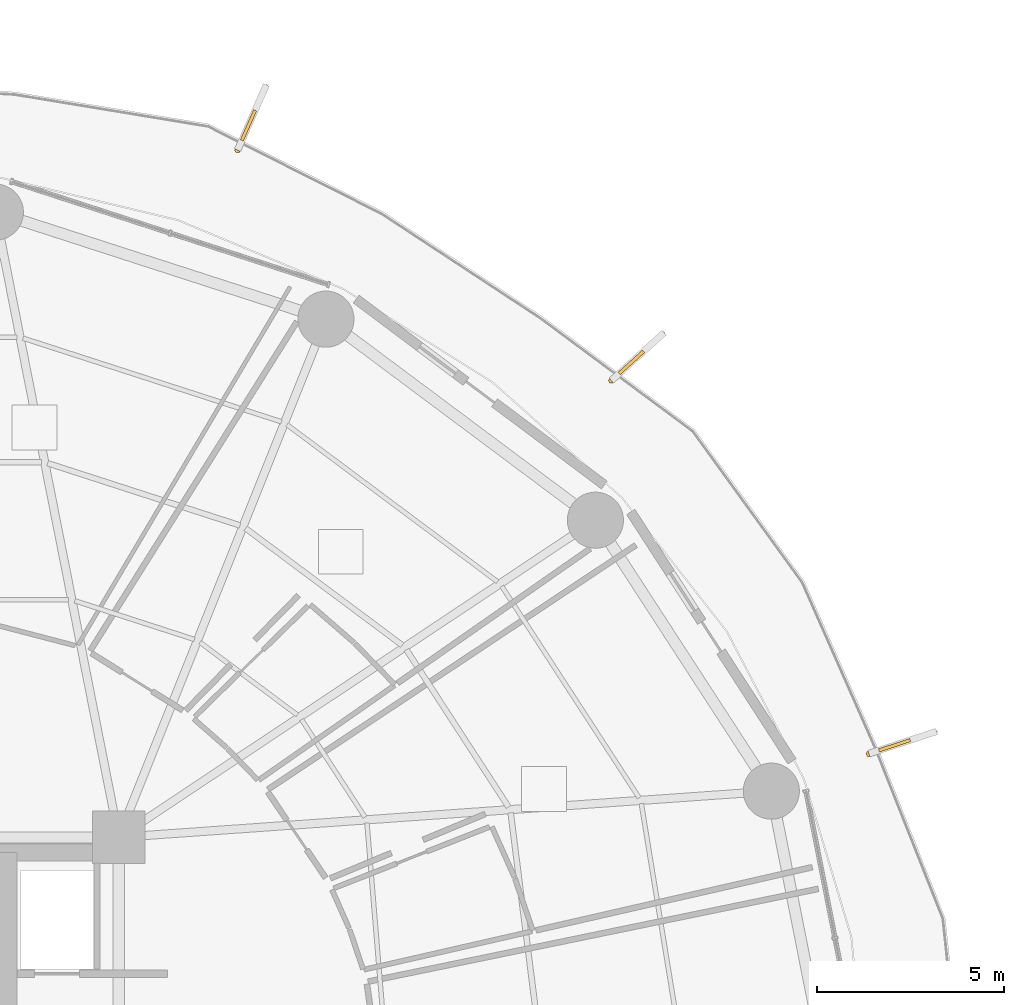
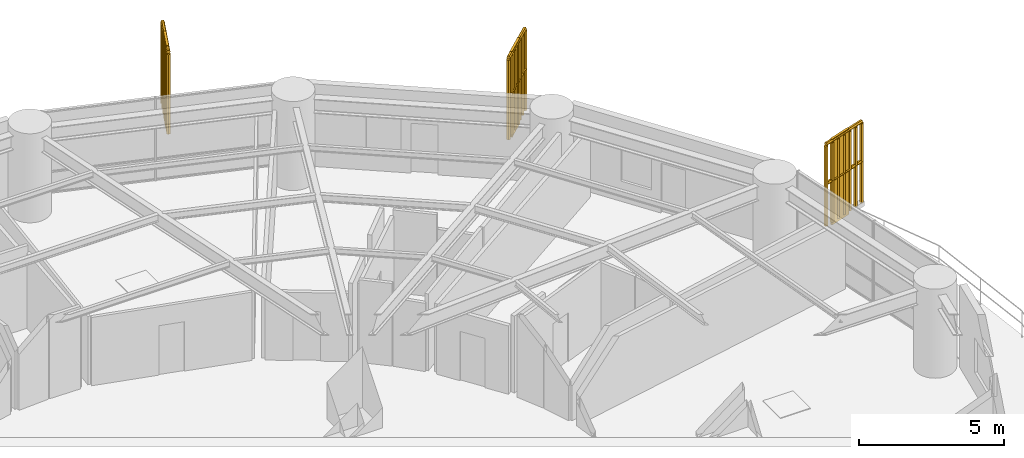
# One storey, part 33 of 33: 3 railings, 3 shading devices.
"""IFC4 building model written with IfcOpenShell, lengths in metres."""

from ifc_helpers import new_model, si_unit, direction, frame, origin, origin_2d, place, context, subcontext, project, spatial, polyline, rectangle, outline, extrude, source, transform, mapped, material, type_object, element, save


model = new_model("IFC4")

# Units and contexts
model_context = context("Model", 3, precision=1e-05, world=origin(), true_north=direction((0.0, 1.0)))
body_context = subcontext(model_context, "Body", "Model", "MODEL_VIEW")
ifc_project = project(units=[si_unit("LENGTHUNIT", "METRE"), si_unit("AREAUNIT", "SQUARE_METRE"), si_unit("VOLUMEUNIT", "CUBIC_METRE"), si_unit("PLANEANGLEUNIT", "RADIAN"), si_unit("MASSUNIT", "GRAM", prefix="KILO")], contexts=[model_context])

# Site, building, storey
site_placement = place(None, origin())
site = spatial("IfcSite", under=ifc_project, at=site_placement, CompositionType="ELEMENT")
building_placement = place(site_placement, origin())
building = spatial("IfcBuilding", under=site, at=building_placement, Name="Kelanora Arch Commons", CompositionType="ELEMENT")
storey_placement = place(building_placement, frame((0.0, 0.0, 41.25)))
storey = spatial("IfcBuildingStorey", under=building, at=storey_placement, Name="L10", CompositionType="ELEMENT", Elevation=41.25)

# Railings
ifc_material_1 = material(Name="Anodised bronze vertical shading fin rib assembly")
railing_type = type_object("IfcRailingType", Name="RAIL-FIN-BRZ", PredefinedType="BALUSTRADE", material=ifc_material_1)
railing_1_placement = place(storey_placement, frame((102.058349609375, 67.237548828125, -0.02001953125)))
element("IfcRailing", 1, at=railing_1_placement, inside=storey, type_object=railing_type, Name="Sweeping Bronze Vertical Fin Blade L10-00", PredefinedType="BALUSTRADE", context=body_context, shape_type="SweptSolid", body=[
    extrude(outline(polyline([(0.06982421875, 0.0), (0.034912109375, 0.060546875), (-0.034912109375, 0.060546875), (-0.06982421875, 0.0), (-0.034912109375, -0.060546875), (0.034912109375, -0.060546875), (0.06982421875, 0.0)])), frame((0.0, 0.0, 3.419921875), z_axis=(0.949842949797, 0.31272731048, 0.0), x_axis=(-0.31272731048, 0.949842949797, 0.0)), (0.0, 0.0, 1.0), 1.842529296875),
    extrude(outline(polyline([(0.06982421875, 0.0), (0.034912109375, 0.060546875), (-0.034912109375, 0.060546875), (-0.06982421875, 0.0), (-0.034912109375, -0.060546875), (0.034912109375, -0.060546875), (0.06982421875, 0.0)])), frame((0.0, 0.0, 1.7451171875), z_axis=(0.949842949797, 0.31272731048, 0.0), x_axis=(-0.31272731048, 0.949842949797, 0.0)), (0.0, 0.0, 1.0), 1.842529296875),
    extrude(outline(polyline([(0.080078125, 0.0), (0.0400390625, 0.0693359375), (-0.0400390625, 0.0693359375), (-0.080078125, 0.0), (-0.0400390625, -0.0693359375), (0.0400390625, -0.0693359375), (0.080078125, 0.0)])), origin(), (0.0, 0.0, 1.0), 3.35009765625),
    extrude(outline(polyline([(0.080078125, 0.0), (0.0400390625, 0.0693359375), (-0.0400390625, 0.0693359375), (-0.080078125, 0.0), (-0.0400390625, -0.0693359375), (0.0400390625, -0.0693359375), (0.080078125, 0.0)])), frame((0.291748046875, 0.095947265625, 0.0)), (0.0, 0.0, 1.0), 3.35009765625),
    extrude(outline(polyline([(0.080078125, 0.0), (0.0400390625, 0.0693359375), (-0.0400390625, 0.0693359375), (-0.080078125, 0.0), (-0.0400390625, -0.0693359375), (0.0400390625, -0.0693359375), (0.080078125, 0.0)])), frame((0.583251953125, 0.192138671875, 0.0)), (0.0, 0.0, 1.0), 3.35009765625),
    extrude(outline(polyline([(0.080078125, 0.0), (0.0400390625, 0.0693359375), (-0.0400390625, 0.0693359375), (-0.080078125, 0.0), (-0.0400390625, -0.0693359375), (0.0400390625, -0.0693359375), (0.080078125, 0.0)])), frame((0.875, 0.2880859375, 0.0)), (0.0, 0.0, 1.0), 3.35009765625),
    extrude(outline(polyline([(0.080078125, 0.0), (0.0400390625, 0.0693359375), (-0.0400390625, 0.0693359375), (-0.080078125, 0.0), (-0.0400390625, -0.0693359375), (0.0400390625, -0.0693359375), (0.080078125, 0.0)])), frame((1.166748046875, 0.384033203125, 0.0)), (0.0, 0.0, 1.0), 3.35009765625),
    extrude(outline(polyline([(0.080078125, 0.0), (0.0400390625, 0.0693359375), (-0.0400390625, 0.0693359375), (-0.080078125, 0.0), (-0.0400390625, -0.0693359375), (0.0400390625, -0.0693359375), (0.080078125, 0.0)])), frame((1.458251953125, 0.480224609375, 0.0)), (0.0, 0.0, 1.0), 3.35009765625),
    extrude(outline(polyline([(0.080078125, 0.0), (0.0400390625, 0.0693359375), (-0.0400390625, 0.0693359375), (-0.080078125, 0.0), (-0.0400390625, -0.0693359375), (0.0400390625, -0.0693359375), (0.080078125, 0.0)])), frame((1.75, 0.576171875, 0.0)), (0.0, 0.0, 1.0), 3.35009765625),
])
railing_2_placement = place(storey_placement, frame((95.17236328125, 77.21337890625, -0.02001953125)))
element("IfcRailing", 2, at=railing_2_placement, inside=storey, type_object=railing_type, Name="Sweeping Bronze Vertical Fin Blade L10-01", PredefinedType="BALUSTRADE", context=body_context, shape_type="SweptSolid", body=[
    extrude(outline(polyline([(0.06982421875, 0.0), (0.034912109375, 0.060546875), (-0.034912109375, 0.060546875), (-0.06982421875, 0.0), (-0.034912109375, -0.060546875), (0.034912109375, -0.060546875), (0.06982421875, 0.0)])), frame((0.0, 0.0, 3.419921875), z_axis=(0.740527335671, 0.672026238419, 0.0), x_axis=(-0.672026238419, 0.740527335671, 0.0)), (0.0, 0.0, 1.0), 1.842529296875),
    extrude(outline(polyline([(0.06982421875, 0.0), (0.034912109375, 0.060546875), (-0.034912109375, 0.060546875), (-0.06982421875, 0.0), (-0.034912109375, -0.060546875), (0.034912109375, -0.060546875), (0.06982421875, 0.0)])), frame((0.0, 0.0, 1.7451171875), z_axis=(0.740527335671, 0.672026238419, 0.0), x_axis=(-0.672026238419, 0.740527335671, 0.0)), (0.0, 0.0, 1.0), 1.842529296875),
    extrude(outline(polyline([(0.080078125, 0.0), (0.0400390625, 0.0693359375), (-0.0400390625, 0.0693359375), (-0.080078125, 0.0), (-0.0400390625, -0.0693359375), (0.0400390625, -0.0693359375), (0.080078125, 0.0)])), origin(), (0.0, 0.0, 1.0), 3.35009765625),
    extrude(outline(polyline([(0.080078125, 0.0), (0.0400390625, 0.0693359375), (-0.0400390625, 0.0693359375), (-0.080078125, 0.0), (-0.0400390625, -0.0693359375), (0.0400390625, -0.0693359375), (0.080078125, 0.0)])), frame((0.2275390625, 0.206298828125, 0.0)), (0.0, 0.0, 1.0), 3.35009765625),
    extrude(outline(polyline([(0.080078125, 0.0), (0.0400390625, 0.0693359375), (-0.0400390625, 0.0693359375), (-0.080078125, 0.0), (-0.0400390625, -0.0693359375), (0.0400390625, -0.0693359375), (0.080078125, 0.0)])), frame((0.454833984375, 0.412841796875, 0.0)), (0.0, 0.0, 1.0), 3.35009765625),
    extrude(outline(polyline([(0.080078125, 0.0), (0.0400390625, 0.0693359375), (-0.0400390625, 0.0693359375), (-0.080078125, 0.0), (-0.0400390625, -0.0693359375), (0.0400390625, -0.0693359375), (0.080078125, 0.0)])), frame((0.68212890625, 0.619140625, 0.0)), (0.0, 0.0, 1.0), 3.35009765625),
    extrude(outline(polyline([(0.080078125, 0.0), (0.0400390625, 0.0693359375), (-0.0400390625, 0.0693359375), (-0.080078125, 0.0), (-0.0400390625, -0.0693359375), (0.0400390625, -0.0693359375), (0.080078125, 0.0)])), frame((0.90966796875, 0.825439453125, 0.0)), (0.0, 0.0, 1.0), 3.35009765625),
    extrude(outline(polyline([(0.080078125, 0.0), (0.0400390625, 0.0693359375), (-0.0400390625, 0.0693359375), (-0.080078125, 0.0), (-0.0400390625, -0.0693359375), (0.0400390625, -0.0693359375), (0.080078125, 0.0)])), frame((1.13720703125, 1.031982421875, 0.0)), (0.0, 0.0, 1.0), 3.35009765625),
    extrude(outline(polyline([(0.080078125, 0.0), (0.0400390625, 0.0693359375), (-0.0400390625, 0.0693359375), (-0.080078125, 0.0), (-0.0400390625, -0.0693359375), (0.0400390625, -0.0693359375), (0.080078125, 0.0)])), frame((1.364501953125, 1.23828125, 0.0)), (0.0, 0.0, 1.0), 3.35009765625),
])
railing_3_placement = place(storey_placement, frame((85.17919921875, 83.3740234375, -0.02001953125)))
element("IfcRailing", 3, at=railing_3_placement, inside=storey, type_object=railing_type, Name="Sweeping Bronze Vertical Fin Blade L10-02", PredefinedType="BALUSTRADE", context=body_context, shape_type="SweptSolid", body=[
    extrude(outline(polyline([(0.06982421875, 0.0), (0.034912109375, 0.060546875), (-0.034912109375, 0.060546875), (-0.06982421875, 0.0), (-0.034912109375, -0.060546875), (0.034912109375, -0.060546875), (0.06982421875, 0.0)])), frame((0.0, 0.0, 3.419921875), z_axis=(0.403173697224, 0.915123472471, 0.0), x_axis=(-0.915123472471, 0.403173697224, 0.0)), (0.0, 0.0, 1.0), 1.8427734375),
    extrude(outline(polyline([(0.06982421875, 0.0), (0.034912109375, 0.060546875), (-0.034912109375, 0.060546875), (-0.06982421875, 0.0), (-0.034912109375, -0.060546875), (0.034912109375, -0.060546875), (0.06982421875, 0.0)])), frame((0.0, 0.0, 1.7451171875), z_axis=(0.403173697224, 0.915123472471, 0.0), x_axis=(-0.915123472471, 0.403173697224, 0.0)), (0.0, 0.0, 1.0), 1.8427734375),
    extrude(outline(polyline([(0.080078125, 0.0), (0.0400390625, 0.0693359375), (-0.0400390625, 0.0693359375), (-0.080078125, 0.0), (-0.0400390625, -0.0693359375), (0.0400390625, -0.0693359375), (0.080078125, 0.0)])), origin(), (0.0, 0.0, 1.0), 3.35009765625),
    extrude(outline(polyline([(0.080078125, 0.0), (0.0400390625, 0.0693359375), (-0.0400390625, 0.0693359375), (-0.080078125, 0.0), (-0.0400390625, -0.0693359375), (0.0400390625, -0.0693359375), (0.080078125, 0.0)])), frame((0.123779296875, 0.281005859375, 0.0)), (0.0, 0.0, 1.0), 3.35009765625),
    extrude(outline(polyline([(0.080078125, 0.0), (0.0400390625, 0.0693359375), (-0.0400390625, 0.0693359375), (-0.080078125, 0.0), (-0.0400390625, -0.0693359375), (0.0400390625, -0.0693359375), (0.080078125, 0.0)])), frame((0.24755859375, 0.56201171875, 0.0)), (0.0, 0.0, 1.0), 3.35009765625),
    extrude(outline(polyline([(0.080078125, 0.0), (0.0400390625, 0.0693359375), (-0.0400390625, 0.0693359375), (-0.080078125, 0.0), (-0.0400390625, -0.0693359375), (0.0400390625, -0.0693359375), (0.080078125, 0.0)])), frame((0.37158203125, 0.84326171875, 0.0)), (0.0, 0.0, 1.0), 3.35009765625),
    extrude(outline(polyline([(0.080078125, 0.0), (0.0400390625, 0.0693359375), (-0.0400390625, 0.0693359375), (-0.080078125, 0.0), (-0.0400390625, -0.0693359375), (0.0400390625, -0.0693359375), (0.080078125, 0.0)])), frame((0.495361328125, 1.124267578125, 0.0)), (0.0, 0.0, 1.0), 3.35009765625),
    extrude(outline(polyline([(0.080078125, 0.0), (0.0400390625, 0.0693359375), (-0.0400390625, 0.0693359375), (-0.080078125, 0.0), (-0.0400390625, -0.0693359375), (0.0400390625, -0.0693359375), (0.080078125, 0.0)])), frame((0.619140625, 1.4052734375, 0.0)), (0.0, 0.0, 1.0), 3.35009765625),
    extrude(outline(polyline([(0.080078125, 0.0), (0.0400390625, 0.0693359375), (-0.0400390625, 0.0693359375), (-0.080078125, 0.0), (-0.0400390625, -0.0693359375), (0.0400390625, -0.0693359375), (0.080078125, 0.0)])), frame((0.742919921875, 1.686279296875, 0.0)), (0.0, 0.0, 1.0), 3.35009765625),
])

# Shading devices
ifc_material_2 = material(Name="Terracotta ceramic-clad extruded aluminium fin", Category="masonry")
shading_device_type = type_object("IfcShadingDeviceType", Name="SHD-FIN-FLARE", PredefinedType="USERDEFINED", material=ifc_material_2)
shared_shape = source(origin(), body_context, "Body", "SweptSolid", [
    extrude(rectangle(XDim=0.8798828125, YDim=0.090087890625, at=origin_2d()), origin(), (0.0, 0.0, 1.0), 3.610107421875),
])
for number, where, z_axis, x_axis, name in (
    (4, (102.7421875, 67.462646484375, -0.14013671875), (0.0, 0.0, 1.0), (0.949862968197, 0.312666502279, 0.0), "Sweeping Terracotta Fin L10-00"),
    (5, (95.70556640625, 77.697265625, -0.14013671875), (0.0, 0.0, 1.0), (0.74057007644, 0.671979137981, 0.0), "Sweeping Terracotta Fin L10-01"),
    (6, (85.469482421875, 84.032958984375, -0.14013671875), (0.0, 0.0, 1.0), (0.403225890599, 0.915100475986, 0.0), "Sweeping Terracotta Fin L10-02"),
):
    element("IfcShadingDevice", number, at=place(storey_placement, frame(where, z_axis=z_axis, x_axis=x_axis)), inside=storey, type_object=shading_device_type, Name=name, ObjectType="FIN", PredefinedType="USERDEFINED", context=body_context, shape_type="MappedRepresentation", body=[
        mapped(shared_shape, transform((0.0, 0.0, 0.0), scale=1.0)),
    ])

save(model, "model.ifc")
